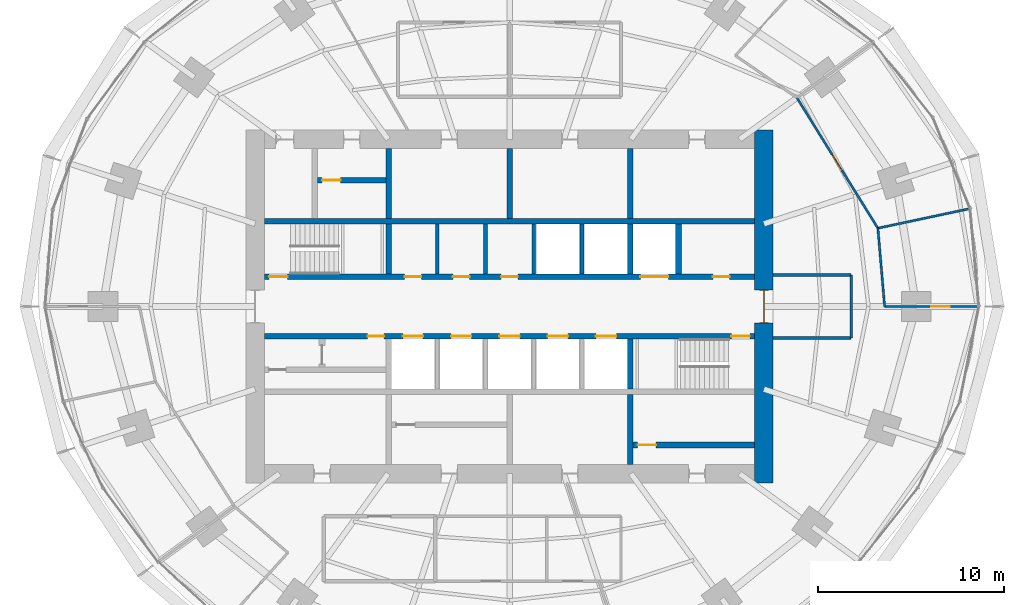
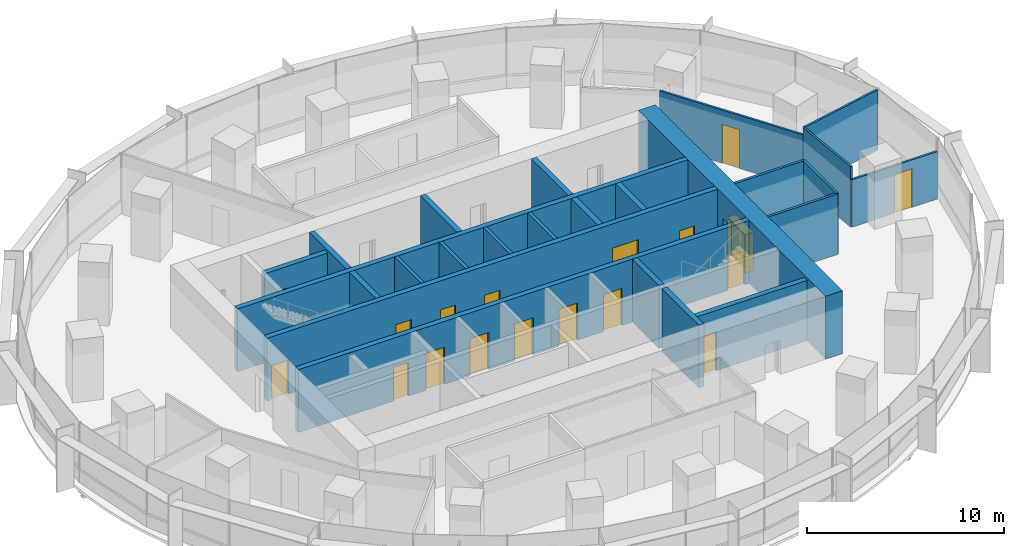
# One storey, part 11 of 14: 25 walls, 18 doors, 18 openings.
"""IFC4 building model written with IfcOpenShell, lengths in metres."""

from ifc_helpers import new_model, si_unit, direction, frame, frame_2d, origin, place, context, subcontext, project, spatial, rectangle, extrude, material, layer, layer_set, type_object, element, fill, save


model = new_model("IFC4")

# Units and contexts
model_context = context("Model", 3, precision=1e-05, world=origin(), true_north=direction((0.0, 1.0)))
body_context = subcontext(model_context, "Body", "Model", "MODEL_VIEW")
ifc_project = project(units=[si_unit("LENGTHUNIT", "METRE"), si_unit("AREAUNIT", "SQUARE_METRE"), si_unit("VOLUMEUNIT", "CUBIC_METRE"), si_unit("PLANEANGLEUNIT", "RADIAN"), si_unit("MASSUNIT", "GRAM", prefix="KILO")], contexts=[model_context])

# Site, building, storey
site_placement = place(None, origin())
site = spatial("IfcSite", under=ifc_project, at=site_placement, CompositionType="ELEMENT")
building_placement = place(site_placement, origin())
building = spatial("IfcBuilding", under=site, at=building_placement, Name="Marramba Exchange Tower", CompositionType="ELEMENT")
storey_placement = place(building_placement, frame((0.0, 0.0, 100.199951171875)))
storey = spatial("IfcBuildingStorey", under=building, at=storey_placement, Name="L23", CompositionType="ELEMENT", Elevation=100.199951171875)

# Walls
ifc_material_1 = material(Name="Concrete N50", Category="concrete")
ifc_layer_1 = layer(ifc_material_1, 0.199951171875)
ifc_layer_set_1 = layer_set([ifc_layer_1], Name="Core shaft wall 200")
wall_type_1 = type_object("IfcWallType", Name="Core shaft wall 200", PredefinedType="SHEAR", material=ifc_layer_set_1)
for number, where, z_axis, x_axis, name in (
    (1, (-3.89990234375, 1.75, 0.0), (0.0, 0.0, 1.0), (0.0, 1.0, 0.0), "Core wall SHN1 L23"),
    (2, (-1.300048828125, 1.75, 0.0), (0.0, 0.0, 1.0), (0.0, 1.0, 0.0), "Core wall SHN2 L23"),
    (3, (1.300048828125, 1.75, 0.0), (0.0, 0.0, 1.0), (0.0, 1.0, 0.0), "Core wall SHN3 L23"),
    (4, (3.89990234375, 1.75, 0.0), (0.0, 0.0, 1.0), (0.0, 1.0, 0.0), "Core wall SHN4 L23"),
):
    element("IfcWall", number, at=place(storey_placement, frame(where, z_axis=z_axis, x_axis=x_axis)), inside=storey, type_object=wall_type_1, Name=name, PredefinedType="SHEAR", context=body_context, shape_type="SweptSolid", body=[
        extrude(rectangle(XDim=2.699951171875, YDim=0.199951171875, at=frame_2d((1.35009765625, 0.0))), origin(), (0.0, 0.0, 1.0), 3.900146484375),
    ])

# Wall, opening, door
ifc_layer_2 = layer(ifc_material_1, 1.0)
ifc_layer_set_2 = layer_set([ifc_layer_2], Name="Core wall 1000")
wall_type_2 = type_object("IfcWallType", Name="Core wall 1000", PredefinedType="SHEAR", material=ifc_layer_set_2)
wall_1_placement = place(storey_placement, frame((13.699951171875, -9.5, 0.0), z_axis=(0.0, 0.0, 1.0), x_axis=(0.0, 1.0, 0.0)))
wall_1 = element("IfcWall", 5, at=wall_1_placement, inside=storey, type_object=wall_type_2, Name="Core wall E L23", PredefinedType="SHEAR", context=body_context, shape_type="SweptSolid", body=[
    extrude(rectangle(XDim=19.0, YDim=1.0, at=frame_2d((9.5, 0.0))), origin(), (0.0, 0.0, 1.0), 3.900146484375),
])
opening_1_placement = place(wall_1_placement, frame((8.60009765625, 0.0, 0.0)))
opening_1 = element("IfcOpeningElement", 6, at=opening_1_placement, cuts=wall_1, Name="Opening D1", PredefinedType="OPENING", context=body_context, shape_type="SweptSolid", body=[
    extrude(rectangle(XDim=1.800048828125, YDim=2.39990234375, at=frame_2d((0.89990234375, 1.199951171875))), frame((0.0, 0.510009765625, 0.0), z_axis=(0.0, -1.0, 0.0), x_axis=(1.0, 0.0, 0.0)), (0.0, 0.0, 1.0), 1.02001953125),
])
ifc_material_2 = material(Name="Steel-framed door", Category="steel")
door_type_1 = type_object("IfcDoorType", Name="Lobby exit door 1800x2400", OperationType="DOUBLE_DOOR_SINGLE_SWING", PredefinedType="DOOR", material=ifc_material_2)
door_1_placement = place(opening_1_placement, frame((1.800048828125, 0.0, 0.0), z_axis=(0.0, 0.0, 1.0), x_axis=(-1.0, 0.0, 0.0)))
door_1 = element("IfcDoor", 7, at=door_1_placement, inside=storey, type_object=door_type_1, Name="D1 lobby exit east L23", OperationType="DOUBLE_DOOR_SINGLE_SWING", OverallHeight=2.39990234375, OverallWidth=1.800048828125, PredefinedType="DOOR", context=body_context, shape_type="SweptSolid", body=[
    extrude(rectangle(XDim=1.719970703125, YDim=2.35986328125, at=frame_2d((0.900146484375, 1.179931640625))), frame((0.0, 0.025146484375, 0.0), z_axis=(0.0, -1.0, 0.0), x_axis=(1.0, 0.0, 0.0)), (0.0, 0.0, 1.0), 0.050048828125),
    extrude(rectangle(XDim=0.04, YDim=2.39990234375, at=frame_2d((1.780029296875, 1.199951171875))), frame((0.0, 0.25, 0.0), z_axis=(0.0, -1.0, 0.0), x_axis=(1.0, 0.0, 0.0)), (0.0, 0.0, 1.0), 0.5),
    extrude(rectangle(XDim=0.04, YDim=2.39990234375, at=frame_2d((0.02001953125, 1.199951171875))), frame((0.0, 0.25, 0.0), z_axis=(0.0, -1.0, 0.0), x_axis=(1.0, 0.0, 0.0)), (0.0, 0.0, 1.0), 0.5),
    extrude(rectangle(XDim=1.719970703125, YDim=0.04, at=frame_2d((0.900146484375, 2.3798828125))), frame((0.0, 0.25, 0.0), z_axis=(0.0, -1.0, 0.0), x_axis=(1.0, 0.0, 0.0)), (0.0, 0.0, 1.0), 0.5),
])
fill(opening_1, door_1)

# Wall, openings, doors
ifc_layer_3 = layer(ifc_material_1, 0.300048828125)
ifc_layer_set_3 = layer_set([ifc_layer_3], Name="Core wall 300")
wall_type_3 = type_object("IfcWallType", Name="Core wall 300", PredefinedType="SHEAR", material=ifc_layer_set_3)
wall_2_placement = place(storey_placement, frame((-13.199951171875, 1.60009765625, 0.0), z_axis=(0.0, 0.0, 1.0), x_axis=(1.0, 0.0, 0.0)))
wall_2 = element("IfcWall", 8, at=wall_2_placement, inside=storey, type_object=wall_type_3, Name="Core wall LN L23", PredefinedType="SHEAR", context=body_context, shape_type="SweptSolid", body=[
    extrude(rectangle(XDim=26.39990234375, YDim=0.300048828125, at=frame_2d((13.199951171875, 0.0))), origin(), (0.0, 0.0, 1.0), 3.900146484375),
])
opening_2_placement = place(wall_2_placement, frame((0.25, 0.0, 0.0)))
opening_2 = element("IfcOpeningElement", 9, at=opening_2_placement, cuts=wall_2, Name="Opening D2", PredefinedType="OPENING", context=body_context, shape_type="SweptSolid", body=[
    extrude(rectangle(XDim=1.0, YDim=2.10009765625, at=frame_2d((0.5, 1.050048828125))), frame((0.0, 0.159912109375, 0.0), z_axis=(0.0, -1.0, 0.0), x_axis=(1.0, 0.0, 0.0)), (0.0, 0.0, 1.0), 0.320068359375),
])
opening_3_placement = place(wall_2_placement, frame((20.25, 0.0, 0.0)))
opening_3 = element("IfcOpeningElement", 10, at=opening_3_placement, cuts=wall_2, Name="Opening LD3", PredefinedType="OPENING", context=body_context, shape_type="SweptSolid", body=[
    extrude(rectangle(XDim=1.5, YDim=2.39990234375, at=frame_2d((0.75, 1.199951171875))), frame((0.0, 0.159912109375, 0.0), z_axis=(0.0, -1.0, 0.0), x_axis=(1.0, 0.0, 0.0)), (0.0, 0.0, 1.0), 0.320068359375),
])
opening_4_placement = place(wall_2_placement, frame((7.550048828125, 0.0, 0.0)))
opening_4 = element("IfcOpeningElement", 11, at=opening_4_placement, cuts=wall_2, Name="Opening D5", PredefinedType="OPENING", context=body_context, shape_type="SweptSolid", body=[
    extrude(rectangle(XDim=0.89990234375, YDim=2.10009765625, at=frame_2d((0.449951171875, 1.050048828125))), frame((0.0, 0.159912109375, 0.0), z_axis=(0.0, -1.0, 0.0), x_axis=(1.0, 0.0, 0.0)), (0.0, 0.0, 1.0), 0.320068359375),
])
opening_5_placement = place(wall_2_placement, frame((10.14990234375, 0.0, 0.0)))
opening_5 = element("IfcOpeningElement", 12, at=opening_5_placement, cuts=wall_2, Name="Opening D5", PredefinedType="OPENING", context=body_context, shape_type="SweptSolid", body=[
    extrude(rectangle(XDim=0.89990234375, YDim=2.10009765625, at=frame_2d((0.449951171875, 1.050048828125))), frame((0.0, 0.159912109375, 0.0), z_axis=(0.0, -1.0, 0.0), x_axis=(1.0, 0.0, 0.0)), (0.0, 0.0, 1.0), 0.320068359375),
])
opening_6_placement = place(wall_2_placement, frame((12.75, 0.0, 0.0)))
opening_6 = element("IfcOpeningElement", 13, at=opening_6_placement, cuts=wall_2, Name="Opening D5", PredefinedType="OPENING", context=body_context, shape_type="SweptSolid", body=[
    extrude(rectangle(XDim=0.89990234375, YDim=2.10009765625, at=frame_2d((0.449951171875, 1.050048828125))), frame((0.0, 0.159912109375, 0.0), z_axis=(0.0, -1.0, 0.0), x_axis=(1.0, 0.0, 0.0)), (0.0, 0.0, 1.0), 0.320068359375),
])
opening_7_placement = place(wall_2_placement, frame((24.14990234375, 0.0, 0.0)))
opening_7 = element("IfcOpeningElement", 14, at=opening_7_placement, cuts=wall_2, Name="Opening D5", PredefinedType="OPENING", context=body_context, shape_type="SweptSolid", body=[
    extrude(rectangle(XDim=0.89990234375, YDim=2.10009765625, at=frame_2d((0.449951171875, 1.050048828125))), frame((0.0, 0.159912109375, 0.0), z_axis=(0.0, -1.0, 0.0), x_axis=(1.0, 0.0, 0.0)), (0.0, 0.0, 1.0), 0.320068359375),
])
door_type_2 = type_object("IfcDoorType", Name="Goods lift landing door 1500x2400", OperationType="SLIDING_TO_LEFT", PredefinedType="DOOR", material=ifc_material_2)
door_2_placement = place(opening_3_placement, origin())
door_2 = element("IfcDoor", 15, at=door_2_placement, inside=storey, type_object=door_type_2, Name="GL1 landing door L23", OperationType="SLIDING_TO_LEFT", OverallHeight=2.39990234375, OverallWidth=1.5, PredefinedType="DOOR", context=body_context, shape_type="SweptSolid", body=[
    extrude(rectangle(XDim=1.5, YDim=2.39990234375, at=frame_2d((0.75, 1.199951171875))), frame((0.0, 0.02490234375, 0.0), z_axis=(0.0, -1.0, 0.0), x_axis=(1.0, 0.0, 0.0)), (0.0, 0.0, 1.0), 0.050048828125),
])
fill(opening_3, door_2)
door_type_3 = type_object("IfcDoorType", Name="Service door 900x2100", OperationType="SINGLE_SWING_LEFT", PredefinedType="DOOR", material=ifc_material_2)
door_3_placement = place(opening_4_placement, origin())
door_3 = element("IfcDoor", 16, at=door_3_placement, inside=storey, type_object=door_type_3, Name="D5 parcel room L23", OperationType="SINGLE_SWING_RIGHT", OverallHeight=2.10009765625, OverallWidth=0.89990234375, PredefinedType="DOOR", context=body_context, shape_type="SweptSolid", body=[
    extrude(rectangle(XDim=0.89990234375, YDim=2.10009765625, at=frame_2d((0.449951171875, 1.050048828125))), frame((0.0, 0.02490234375, 0.0), z_axis=(0.0, -1.0, 0.0), x_axis=(1.0, 0.0, 0.0)), (0.0, 0.0, 1.0), 0.050048828125),
])
fill(opening_4, door_3)
door_4_placement = place(opening_5_placement, origin())
door_4 = element("IfcDoor", 17, at=door_4_placement, inside=storey, type_object=door_type_3, Name="D5 stationery store L23", OperationType="SINGLE_SWING_RIGHT", OverallHeight=2.10009765625, OverallWidth=0.89990234375, PredefinedType="DOOR", context=body_context, shape_type="SweptSolid", body=[
    extrude(rectangle(XDim=0.89990234375, YDim=2.10009765625, at=frame_2d((0.449951171875, 1.050048828125))), frame((0.0, 0.02490234375, 0.0), z_axis=(0.0, -1.0, 0.0), x_axis=(1.0, 0.0, 0.0)), (0.0, 0.0, 1.0), 0.050048828125),
])
fill(opening_5, door_4)
door_5_placement = place(opening_6_placement, origin())
door_5 = element("IfcDoor", 18, at=door_5_placement, inside=storey, type_object=door_type_3, Name="D5 switch room L23", OperationType="SINGLE_SWING_RIGHT", OverallHeight=2.10009765625, OverallWidth=0.89990234375, PredefinedType="DOOR", context=body_context, shape_type="SweptSolid", body=[
    extrude(rectangle(XDim=0.89990234375, YDim=2.10009765625, at=frame_2d((0.449951171875, 1.050048828125))), frame((0.0, 0.02490234375, 0.0), z_axis=(0.0, -1.0, 0.0), x_axis=(1.0, 0.0, 0.0)), (0.0, 0.0, 1.0), 0.050048828125),
])
fill(opening_6, door_5)
door_6_placement = place(opening_7_placement, origin())
door_6 = element("IfcDoor", 19, at=door_6_placement, inside=storey, type_object=door_type_3, Name="D5 riser L23", OperationType="SINGLE_SWING_RIGHT", OverallHeight=2.10009765625, OverallWidth=0.89990234375, PredefinedType="DOOR", context=body_context, shape_type="SweptSolid", body=[
    extrude(rectangle(XDim=0.89990234375, YDim=2.10009765625, at=frame_2d((0.449951171875, 1.050048828125))), frame((0.0, 0.02490234375, 0.0), z_axis=(0.0, -1.0, 0.0), x_axis=(1.0, 0.0, 0.0)), (0.0, 0.0, 1.0), 0.050048828125),
])
fill(opening_7, door_6)
door_type_4 = type_object("IfcDoorType", Name="Stair door 1000x2100", OperationType="SINGLE_SWING_LEFT", PredefinedType="DOOR", material=ifc_material_2)
door_7_placement = place(opening_2_placement, origin())
door_7 = element("IfcDoor", 20, at=door_7_placement, inside=storey, type_object=door_type_4, Name="D2 stair ST1 L23", OperationType="SINGLE_SWING_LEFT", OverallHeight=2.10009765625, OverallWidth=1.0, PredefinedType="DOOR", context=body_context, shape_type="SweptSolid", body=[
    extrude(rectangle(XDim=1.0, YDim=2.10009765625, at=frame_2d((0.5, 1.050048828125))), frame((0.0, 0.02490234375, 0.0), z_axis=(0.0, -1.0, 0.0), x_axis=(1.0, 0.0, 0.0)), (0.0, 0.0, 1.0), 0.050048828125),
])
fill(opening_2, door_7)

wall_3_placement = place(storey_placement, frame((-13.199951171875, -1.60009765625, 0.0), z_axis=(0.0, 0.0, 1.0), x_axis=(1.0, 0.0, 0.0)))
wall_3 = element("IfcWall", 21, at=wall_3_placement, inside=storey, type_object=wall_type_3, Name="Core wall LS L23", PredefinedType="SHEAR", context=body_context, shape_type="SweptSolid", body=[
    extrude(rectangle(XDim=26.39990234375, YDim=0.300048828125, at=frame_2d((13.199951171875, 0.0))), origin(), (0.0, 0.0, 1.0), 3.900146484375),
])
opening_8_placement = place(wall_3_placement, frame((25.14990234375, 0.0, 0.0)))
opening_8 = element("IfcOpeningElement", 22, at=opening_8_placement, cuts=wall_3, Name="Opening D2", PredefinedType="OPENING", context=body_context, shape_type="SweptSolid", body=[
    extrude(rectangle(XDim=1.0, YDim=2.10009765625, at=frame_2d((0.5, 1.050048828125))), frame((0.0, 0.159912109375, 0.0), z_axis=(0.0, -1.0, 0.0), x_axis=(1.0, 0.0, 0.0)), (0.0, 0.0, 1.0), 0.320068359375),
])
opening_9_placement = place(wall_3_placement, frame((7.449951171875, 0.0, 0.0)))
opening_9 = element("IfcOpeningElement", 23, at=opening_9_placement, cuts=wall_3, Name="Opening LD1", PredefinedType="OPENING", context=body_context, shape_type="SweptSolid", body=[
    extrude(rectangle(XDim=1.10009765625, YDim=2.300048828125, at=frame_2d((0.550048828125, 1.14990234375))), frame((0.0, 0.159912109375, 0.0), z_axis=(0.0, -1.0, 0.0), x_axis=(1.0, 0.0, 0.0)), (0.0, 0.0, 1.0), 0.320068359375),
])
opening_10_placement = place(wall_3_placement, frame((10.050048828125, 0.0, 0.0)))
opening_10 = element("IfcOpeningElement", 24, at=opening_10_placement, cuts=wall_3, Name="Opening LD1", PredefinedType="OPENING", context=body_context, shape_type="SweptSolid", body=[
    extrude(rectangle(XDim=1.10009765625, YDim=2.300048828125, at=frame_2d((0.550048828125, 1.14990234375))), frame((0.0, 0.159912109375, 0.0), z_axis=(0.0, -1.0, 0.0), x_axis=(1.0, 0.0, 0.0)), (0.0, 0.0, 1.0), 0.320068359375),
])
opening_11_placement = place(wall_3_placement, frame((12.64990234375, 0.0, 0.0)))
opening_11 = element("IfcOpeningElement", 25, at=opening_11_placement, cuts=wall_3, Name="Opening LD1", PredefinedType="OPENING", context=body_context, shape_type="SweptSolid", body=[
    extrude(rectangle(XDim=1.10009765625, YDim=2.300048828125, at=frame_2d((0.550048828125, 1.14990234375))), frame((0.0, 0.159912109375, 0.0), z_axis=(0.0, -1.0, 0.0), x_axis=(1.0, 0.0, 0.0)), (0.0, 0.0, 1.0), 0.320068359375),
])
opening_12_placement = place(wall_3_placement, frame((15.25, 0.0, 0.0)))
opening_12 = element("IfcOpeningElement", 26, at=opening_12_placement, cuts=wall_3, Name="Opening LD2", PredefinedType="OPENING", context=body_context, shape_type="SweptSolid", body=[
    extrude(rectangle(XDim=1.10009765625, YDim=2.300048828125, at=frame_2d((0.550048828125, 1.14990234375))), frame((0.0, 0.159912109375, 0.0), z_axis=(0.0, -1.0, 0.0), x_axis=(1.0, 0.0, 0.0)), (0.0, 0.0, 1.0), 0.320068359375),
])
opening_13_placement = place(wall_3_placement, frame((17.85009765625, 0.0, 0.0)))
opening_13 = element("IfcOpeningElement", 27, at=opening_13_placement, cuts=wall_3, Name="Opening LD2", PredefinedType="OPENING", context=body_context, shape_type="SweptSolid", body=[
    extrude(rectangle(XDim=1.10009765625, YDim=2.300048828125, at=frame_2d((0.550048828125, 1.14990234375))), frame((0.0, 0.159912109375, 0.0), z_axis=(0.0, -1.0, 0.0), x_axis=(1.0, 0.0, 0.0)), (0.0, 0.0, 1.0), 0.320068359375),
])
opening_14_placement = place(wall_3_placement, frame((5.550048828125, 0.0, 0.0)))
opening_14 = element("IfcOpeningElement", 28, at=opening_14_placement, cuts=wall_3, Name="Opening D5", PredefinedType="OPENING", context=body_context, shape_type="SweptSolid", body=[
    extrude(rectangle(XDim=0.89990234375, YDim=2.10009765625, at=frame_2d((0.449951171875, 1.050048828125))), frame((0.0, 0.159912109375, 0.0), z_axis=(0.0, -1.0, 0.0), x_axis=(1.0, 0.0, 0.0)), (0.0, 0.0, 1.0), 0.320068359375),
])
door_type_5 = type_object("IfcDoorType", Name="Emergency lift landing door 1100x2300", OperationType="SLIDING_TO_LEFT", PredefinedType="DOOR", material=ifc_material_2)
door_8_placement = place(opening_12_placement, frame((1.10009765625, 0.0, 0.0), z_axis=(0.0, 0.0, 1.0), x_axis=(-1.0, 0.0, 0.0)))
door_8 = element("IfcDoor", 29, at=door_8_placement, inside=storey, type_object=door_type_5, Name="FL1 landing door L23", OperationType="SLIDING_TO_RIGHT", OverallHeight=2.300048828125, OverallWidth=1.10009765625, PredefinedType="DOOR", context=body_context, shape_type="SweptSolid", body=[
    extrude(rectangle(XDim=1.10009765625, YDim=2.300048828125, at=frame_2d((0.550048828125, 1.14990234375))), frame((0.0, 0.025146484375, 0.0), z_axis=(0.0, -1.0, 0.0), x_axis=(1.0, 0.0, 0.0)), (0.0, 0.0, 1.0), 0.050048828125),
])
fill(opening_12, door_8)
door_9_placement = place(opening_13_placement, frame((1.10009765625, 0.0, 0.0), z_axis=(0.0, 0.0, 1.0), x_axis=(-1.0, 0.0, 0.0)))
door_9 = element("IfcDoor", 30, at=door_9_placement, inside=storey, type_object=door_type_5, Name="FL2 landing door L23", OperationType="SLIDING_TO_LEFT", OverallHeight=2.300048828125, OverallWidth=1.10009765625, PredefinedType="DOOR", context=body_context, shape_type="SweptSolid", body=[
    extrude(rectangle(XDim=1.10009765625, YDim=2.300048828125, at=frame_2d((0.550048828125, 1.14990234375))), frame((0.0, 0.025146484375, 0.0), z_axis=(0.0, -1.0, 0.0), x_axis=(1.0, 0.0, 0.0)), (0.0, 0.0, 1.0), 0.050048828125),
])
fill(opening_13, door_9)
door_type_6 = type_object("IfcDoorType", Name="Lift landing door 1100x2300", OperationType="SLIDING_TO_LEFT", PredefinedType="DOOR", material=ifc_material_2)
door_10_placement = place(opening_9_placement, frame((1.10009765625, 0.0, 0.0), z_axis=(0.0, 0.0, 1.0), x_axis=(-1.0, 0.0, 0.0)))
door_10 = element("IfcDoor", 31, at=door_10_placement, inside=storey, type_object=door_type_6, Name="LB1 landing door L23", OperationType="SLIDING_TO_LEFT", OverallHeight=2.300048828125, OverallWidth=1.10009765625, PredefinedType="DOOR", context=body_context, shape_type="SweptSolid", body=[
    extrude(rectangle(XDim=1.10009765625, YDim=2.300048828125, at=frame_2d((0.550048828125, 1.14990234375))), frame((0.0, 0.025146484375, 0.0), z_axis=(0.0, -1.0, 0.0), x_axis=(1.0, 0.0, 0.0)), (0.0, 0.0, 1.0), 0.050048828125),
])
fill(opening_9, door_10)
door_11_placement = place(opening_10_placement, frame((1.10009765625, 0.0, 0.0), z_axis=(0.0, 0.0, 1.0), x_axis=(-1.0, 0.0, 0.0)))
door_11 = element("IfcDoor", 32, at=door_11_placement, inside=storey, type_object=door_type_6, Name="LB2 landing door L23", OperationType="SLIDING_TO_RIGHT", OverallHeight=2.300048828125, OverallWidth=1.10009765625, PredefinedType="DOOR", context=body_context, shape_type="SweptSolid", body=[
    extrude(rectangle(XDim=1.10009765625, YDim=2.300048828125, at=frame_2d((0.550048828125, 1.14990234375))), frame((0.0, 0.025146484375, 0.0), z_axis=(0.0, -1.0, 0.0), x_axis=(1.0, 0.0, 0.0)), (0.0, 0.0, 1.0), 0.050048828125),
])
fill(opening_10, door_11)
door_12_placement = place(opening_11_placement, frame((1.10009765625, 0.0, 0.0), z_axis=(0.0, 0.0, 1.0), x_axis=(-1.0, 0.0, 0.0)))
door_12 = element("IfcDoor", 33, at=door_12_placement, inside=storey, type_object=door_type_6, Name="LB3 landing door L23", OperationType="SLIDING_TO_RIGHT", OverallHeight=2.300048828125, OverallWidth=1.10009765625, PredefinedType="DOOR", context=body_context, shape_type="SweptSolid", body=[
    extrude(rectangle(XDim=1.10009765625, YDim=2.300048828125, at=frame_2d((0.550048828125, 1.14990234375))), frame((0.0, 0.025146484375, 0.0), z_axis=(0.0, -1.0, 0.0), x_axis=(1.0, 0.0, 0.0)), (0.0, 0.0, 1.0), 0.050048828125),
])
fill(opening_11, door_12)
door_13_placement = place(opening_14_placement, frame((0.89990234375, 0.0, 0.0), z_axis=(0.0, 0.0, 1.0), x_axis=(-1.0, 0.0, 0.0)))
door_13 = element("IfcDoor", 34, at=door_13_placement, inside=storey, type_object=door_type_3, Name="D5 electrical riser L23", OperationType="SINGLE_SWING_LEFT", OverallHeight=2.10009765625, OverallWidth=0.89990234375, PredefinedType="DOOR", context=body_context, shape_type="SweptSolid", body=[
    extrude(rectangle(XDim=0.89990234375, YDim=2.10009765625, at=frame_2d((0.449951171875, 1.050048828125))), frame((0.0, 0.025146484375, 0.0), z_axis=(0.0, -1.0, 0.0), x_axis=(1.0, 0.0, 0.0)), (0.0, 0.0, 1.0), 0.050048828125),
])
fill(opening_14, door_13)
door_14_placement = place(opening_8_placement, frame((1.0, 0.0, 0.0), z_axis=(0.0, 0.0, 1.0), x_axis=(-1.0, 0.0, 0.0)))
door_14 = element("IfcDoor", 35, at=door_14_placement, inside=storey, type_object=door_type_4, Name="D2 stair ST2 L23", OperationType="SINGLE_SWING_LEFT", OverallHeight=2.10009765625, OverallWidth=1.0, PredefinedType="DOOR", context=body_context, shape_type="SweptSolid", body=[
    extrude(rectangle(XDim=1.0, YDim=2.10009765625, at=frame_2d((0.5, 1.050048828125))), frame((0.0, 0.025146484375, 0.0), z_axis=(0.0, -1.0, 0.0), x_axis=(1.0, 0.0, 0.0)), (0.0, 0.0, 1.0), 0.050048828125),
])
fill(opening_8, door_14)

# Walls
wall_4_placement = place(storey_placement, frame((-13.199951171875, 4.60009765625, 0.0), z_axis=(0.0, 0.0, 1.0), x_axis=(1.0, 0.0, 0.0)))
element("IfcWall", 36, at=wall_4_placement, inside=storey, type_object=wall_type_3, Name="Core wall BN L23", PredefinedType="SHEAR", context=body_context, shape_type="SweptSolid", body=[
    extrude(rectangle(XDim=26.39990234375, YDim=0.300048828125, at=frame_2d((13.199951171875, 0.0))), origin(), (0.0, 0.0, 1.0), 3.900146484375),
])
wall_5_placement = place(storey_placement, frame((-6.5, 1.75, 0.0), z_axis=(0.0, 0.0, 1.0), x_axis=(0.0, 1.0, 0.0)))
element("IfcWall", 37, at=wall_5_placement, inside=storey, type_object=wall_type_3, Name="Core wall X0Na L23", PredefinedType="SHEAR", context=body_context, shape_type="SweptSolid", body=[
    extrude(rectangle(XDim=2.699951171875, YDim=0.300048828125, at=frame_2d((1.35009765625, 0.0))), origin(), (0.0, 0.0, 1.0), 3.900146484375),
])
wall_6_placement = place(storey_placement, frame((-6.5, 4.75, 0.0), z_axis=(0.0, 0.0, 1.0), x_axis=(0.0, 1.0, 0.0)))
element("IfcWall", 38, at=wall_6_placement, inside=storey, type_object=wall_type_3, Name="Core wall X0Nb L23", PredefinedType="SHEAR", context=body_context, shape_type="SweptSolid", body=[
    extrude(rectangle(XDim=3.75, YDim=0.300048828125, at=frame_2d((1.875, 0.0))), origin(), (0.0, 0.0, 1.0), 3.900146484375),
])
wall_7_placement = place(storey_placement, frame((6.5, 1.75, 0.0), z_axis=(0.0, 0.0, 1.0), x_axis=(0.0, 1.0, 0.0)))
element("IfcWall", 39, at=wall_7_placement, inside=storey, type_object=wall_type_3, Name="Core wall X1Na L23", PredefinedType="SHEAR", context=body_context, shape_type="SweptSolid", body=[
    extrude(rectangle(XDim=2.699951171875, YDim=0.300048828125, at=frame_2d((1.35009765625, 0.0))), origin(), (0.0, 0.0, 1.0), 3.900146484375),
])
for number, where, z_axis, x_axis, name in (
    (40, (6.5, 4.75, 0.0), (0.0, 0.0, 1.0), (0.0, 1.0, 0.0), "Core wall X1Nb L23"),
    (41, (0.0, 4.75, 0.0), (0.0, 0.0, 1.0), (0.0, 1.0, 0.0), "Core wall MN L23"),
):
    element("IfcWall", number, at=place(storey_placement, frame(where, z_axis=z_axis, x_axis=x_axis)), inside=storey, type_object=wall_type_3, Name=name, PredefinedType="SHEAR", context=body_context, shape_type="SweptSolid", body=[
        extrude(rectangle(XDim=3.75, YDim=0.300048828125, at=frame_2d((1.875, 0.0))), origin(), (0.0, 0.0, 1.0), 3.900146484375),
    ])
wall_8_placement = place(storey_placement, frame((6.5, -1.75, 0.0), z_axis=(0.0, 0.0, 1.0), x_axis=(0.0, -1.0, 0.0)))
element("IfcWall", 42, at=wall_8_placement, inside=storey, type_object=wall_type_3, Name="Core wall X1Sa L23", PredefinedType="SHEAR", context=body_context, shape_type="SweptSolid", body=[
    extrude(rectangle(XDim=2.699951171875, YDim=0.300048828125, at=frame_2d((1.35009765625, 0.0))), origin(), (0.0, 0.0, 1.0), 3.900146484375),
])
wall_9_placement = place(storey_placement, frame((6.5, -4.75, 0.0), z_axis=(0.0, 0.0, 1.0), x_axis=(0.0, -1.0, 0.0)))
element("IfcWall", 43, at=wall_9_placement, inside=storey, type_object=wall_type_3, Name="Core wall X1Sb L23", PredefinedType="SHEAR", context=body_context, shape_type="SweptSolid", body=[
    extrude(rectangle(XDim=3.75, YDim=0.300048828125, at=frame_2d((1.875, 0.0))), origin(), (0.0, 0.0, 1.0), 3.900146484375),
])
wall_10_placement = place(storey_placement, frame((9.10009765625, 1.75, 0.0), z_axis=(0.0, 0.0, 1.0), x_axis=(0.0, 1.0, 0.0)))
element("IfcWall", 44, at=wall_10_placement, inside=storey, type_object=wall_type_3, Name="Core wall ED L23", PredefinedType="SHEAR", context=body_context, shape_type="SweptSolid", body=[
    extrude(rectangle(XDim=2.699951171875, YDim=0.300048828125, at=frame_2d((1.35009765625, 0.0))), origin(), (0.0, 0.0, 1.0), 3.900146484375),
])

# Wall, opening, door
ifc_material_3 = material(Name="Plasterboard on steel studs", Category="steel")
ifc_layer_4 = layer(ifc_material_3, 0.1201171875)
ifc_layer_set_4 = layer_set([ifc_layer_4], Name="Partition 120")
wall_type_4 = type_object("IfcWallType", Name="Partition 120", PredefinedType="PARTITIONING", material=ifc_layer_set_4)
wall_11_placement = place(storey_placement, frame((20.201904296875, 0.0, 0.0), z_axis=(0.0, 0.0, 1.0), x_axis=(1.0, 0.0, 0.0)))
wall_11 = element("IfcWall", 45, at=wall_11_placement, inside=storey, type_object=wall_type_4, Name="Partition L23 19", PredefinedType="PARTITIONING", context=body_context, shape_type="SweptSolid", body=[
    extrude(rectangle(XDim=5.0, YDim=0.1201171875, at=frame_2d((2.5, 0.0))), origin(), (0.0, 0.0, 1.0), 2.93994140625),
])
opening_15_placement = place(wall_11_placement, frame((2.5, 0.0, 0.0)))
opening_15 = element("IfcOpeningElement", 46, at=opening_15_placement, cuts=wall_11, Name="Opening D9", PredefinedType="OPENING", context=body_context, shape_type="SweptSolid", body=[
    extrude(rectangle(XDim=1.0, YDim=2.39990234375, at=frame_2d((0.5, 1.199951171875))), frame((0.0, 0.070068359375, 0.0), z_axis=(0.0, -1.0, 0.0), x_axis=(1.0, 0.0, 0.0)), (0.0, 0.0, 1.0), 0.14013671875),
])
ifc_material_4 = material(Name="Timber door", Category="wood")
door_type_7 = type_object("IfcDoorType", Name="Room door 1000x2400", OperationType="SINGLE_SWING_LEFT", PredefinedType="DOOR", material=ifc_material_4)
door_15_placement = place(opening_15_placement, origin())
door_15 = element("IfcDoor", 47, at=door_15_placement, inside=storey, type_object=door_type_7, Name="D9 Compliance Office 2 L23", OperationType="SINGLE_SWING_RIGHT", OverallHeight=2.39990234375, OverallWidth=1.0, PredefinedType="DOOR", context=body_context, shape_type="SweptSolid", body=[
    extrude(rectangle(XDim=1.0, YDim=2.39990234375, at=frame_2d((0.5, 1.199951171875))), frame((0.0, 0.02490234375, 0.0), z_axis=(0.0, -1.0, 0.0), x_axis=(1.0, 0.0, 0.0)), (0.0, 0.0, 1.0), 0.050048828125),
])
fill(opening_15, door_15)

# Walls
wall_12_placement = place(storey_placement, frame((19.839599609375, 4.217041015625, 0.0), z_axis=(0.0, 0.0, 1.0), x_axis=(0.085599097882, -0.996329661529, 0.0)))
element("IfcWall", 48, at=wall_12_placement, inside=storey, type_object=wall_type_4, Name="Partition L23 21", PredefinedType="PARTITIONING", context=body_context, shape_type="SweptSolid", body=[
    extrude(rectangle(XDim=4.232666015625, YDim=0.1201171875, at=frame_2d((2.1162109375, 0.0))), origin(), (0.0, 0.0, 1.0), 3.739990234375),
])
wall_13_placement = place(storey_placement, frame((19.839599609375, 4.217041015625, 0.0), z_axis=(0.0, 0.0, 1.0), x_axis=(0.978149046495, 0.207904888932, 0.0)))
element("IfcWall", 49, at=wall_13_placement, inside=storey, type_object=wall_type_4, Name="Partition L23 22", PredefinedType="PARTITIONING", context=body_context, shape_type="SweptSolid", body=[
    extrude(rectangle(XDim=5.000244140625, YDim=0.1201171875, at=frame_2d((2.5, 0.0))), origin(), (0.0, 0.0, 1.0), 3.739990234375),
])

# Wall, opening, door
wall_14_placement = place(storey_placement, frame((15.4765625, 11.244384765625, 0.0), z_axis=(0.0, 0.0, 1.0), x_axis=(0.527470861315, -0.849573122494, 0.0)))
wall_14 = element("IfcWall", 50, at=wall_14_placement, inside=storey, type_object=wall_type_4, Name="Partition L23 23", PredefinedType="PARTITIONING", context=body_context, shape_type="SweptSolid", body=[
    extrude(rectangle(XDim=8.271728515625, YDim=0.1201171875, at=frame_2d((4.1357421875, 0.0))), origin(), (0.0, 0.0, 1.0), 3.2861328125),
])
opening_16_placement = place(wall_14_placement, frame((3.611083984375, 0.0, 0.0)))
opening_16 = element("IfcOpeningElement", 51, at=opening_16_placement, cuts=wall_14, Name="Opening D9", PredefinedType="OPENING", context=body_context, shape_type="SweptSolid", body=[
    extrude(rectangle(XDim=1.0, YDim=2.39990234375, at=frame_2d((0.5, 1.199951171875))), frame((0.0, 0.070068359375, 0.0), z_axis=(0.0, -1.0, 0.0), x_axis=(1.0, 0.0, 0.0)), (0.0, 0.0, 1.0), 0.14013671875),
])
door_16_placement = place(opening_16_placement, origin())
door_16 = element("IfcDoor", 52, at=door_16_placement, inside=storey, type_object=door_type_7, Name="D9 Compliance Office 3 L23", OperationType="SINGLE_SWING_LEFT", OverallHeight=2.39990234375, OverallWidth=1.0, PredefinedType="DOOR", context=body_context, shape_type="SweptSolid", body=[
    extrude(rectangle(XDim=1.0, YDim=2.39990234375, at=frame_2d((0.5, 1.199951171875))), frame((0.0, 0.02490234375, 0.0), z_axis=(0.0, -1.0, 0.0), x_axis=(1.0, 0.0, 0.0)), (0.0, 0.0, 1.0), 0.050048828125),
])
fill(opening_16, door_16)

ifc_material_5 = material(Name="Plasterboard on steel studs, insulated, unrated", Category="steel")
ifc_layer_5 = layer(ifc_material_5, 0.300048828125)
ifc_layer_set_5 = layer_set([ifc_layer_5], Name="Store partition 300")
wall_type_5 = type_object("IfcWallType", Name="Store partition 300", PredefinedType="PARTITIONING", material=ifc_layer_set_5)
wall_15_placement = place(storey_placement, frame((-10.35009765625, 6.800048828125, 0.0), z_axis=(0.0, 0.0, 1.0), x_axis=(1.0, 0.0, 0.0)))
wall_15 = element("IfcWall", 53, at=wall_15_placement, inside=storey, type_object=wall_type_5, Name="Store partition L23 cleaner", PredefinedType="PARTITIONING", context=body_context, shape_type="SweptSolid", body=[
    extrude(rectangle(XDim=3.7001953125, YDim=0.300048828125, at=frame_2d((1.85009765625, 0.0))), origin(), (0.0, 0.0, 1.0), 3.739990234375),
])
opening_17_placement = place(wall_15_placement, frame((0.25, 0.0, 0.0)))
opening_17 = element("IfcOpeningElement", 54, at=opening_17_placement, cuts=wall_15, Name="Opening D9", PredefinedType="OPENING", context=body_context, shape_type="SweptSolid", body=[
    extrude(rectangle(XDim=1.0, YDim=2.39990234375, at=frame_2d((0.5, 1.199951171875))), frame((0.0, 0.159912109375, 0.0), z_axis=(0.0, -1.0, 0.0), x_axis=(1.0, 0.0, 0.0)), (0.0, 0.0, 1.0), 0.320068359375),
])
door_17_placement = place(opening_17_placement, origin())
door_17 = element("IfcDoor", 55, at=door_17_placement, inside=storey, type_object=door_type_7, Name="D9 cleaning store L23", OperationType="SINGLE_SWING_LEFT", OverallHeight=2.39990234375, OverallWidth=1.0, PredefinedType="DOOR", context=body_context, shape_type="SweptSolid", body=[
    extrude(rectangle(XDim=1.0, YDim=2.39990234375, at=frame_2d((0.5, 1.199951171875))), frame((0.0, 0.02490234375, 0.0), z_axis=(0.0, -1.0, 0.0), x_axis=(1.0, 0.0, 0.0)), (0.0, 0.0, 1.0), 0.050048828125),
])
fill(opening_17, door_17)

wall_16_placement = place(storey_placement, frame((6.64990234375, -7.4599609375, 0.0), z_axis=(0.0, 0.0, 1.0), x_axis=(1.0, 0.0, 0.0)))
wall_16 = element("IfcWall", 56, at=wall_16_placement, inside=storey, type_object=wall_type_5, Name="Store partition L23 cstore", PredefinedType="PARTITIONING", context=body_context, shape_type="SweptSolid", body=[
    extrude(rectangle(XDim=6.550048828125, YDim=0.300048828125, at=frame_2d((3.27490234375, 0.0))), origin(), (0.0, 0.0, 1.0), 3.739990234375),
])
opening_18_placement = place(wall_16_placement, frame((0.25, 0.0, 0.0)))
opening_18 = element("IfcOpeningElement", 57, at=opening_18_placement, cuts=wall_16, Name="Opening D9", PredefinedType="OPENING", context=body_context, shape_type="SweptSolid", body=[
    extrude(rectangle(XDim=1.0, YDim=2.39990234375, at=frame_2d((0.5, 1.199951171875))), frame((0.0, 0.159912109375, 0.0), z_axis=(0.0, -1.0, 0.0), x_axis=(1.0, 0.0, 0.0)), (0.0, 0.0, 1.0), 0.320068359375),
])
door_18_placement = place(opening_18_placement, frame((1.0, 0.0, 0.0), z_axis=(0.0, 0.0, 1.0), x_axis=(-1.0, 0.0, 0.0)))
door_18 = element("IfcDoor", 58, at=door_18_placement, inside=storey, type_object=door_type_7, Name="D9 general store L23", OperationType="SINGLE_SWING_RIGHT", OverallHeight=2.39990234375, OverallWidth=1.0, PredefinedType="DOOR", context=body_context, shape_type="SweptSolid", body=[
    extrude(rectangle(XDim=1.0, YDim=2.39990234375, at=frame_2d((0.5, 1.199951171875))), frame((0.0, 0.025146484375, 0.0), z_axis=(0.0, -1.0, 0.0), x_axis=(1.0, 0.0, 0.0)), (0.0, 0.0, 1.0), 0.050048828125),
])
fill(opening_18, door_18)

# Walls
ifc_material_6 = material(Name="Fire-rated plasterboard on steel studs, acoustic insulation", Category="steel")
ifc_layer_6 = layer(ifc_material_6, 0.14990234375)
ifc_layer_set_6 = layer_set([ifc_layer_6], Name="Tenancy wall 150")
wall_type_6 = type_object("IfcWallType", Name="Tenancy wall 150", PredefinedType="PARTITIONING", material=ifc_layer_set_6)
wall_17_placement = place(storey_placement, frame((14.199951171875, -1.699951171875, 0.0), z_axis=(0.0, 0.0, 1.0), x_axis=(1.0, 0.0, 0.0)))
element("IfcWall", 59, at=wall_17_placement, inside=storey, type_object=wall_type_6, Name="Tenancy wall L23 17", PredefinedType="PARTITIONING", context=body_context, shape_type="SweptSolid", body=[
    extrude(rectangle(XDim=4.199951171875, YDim=0.14990234375, at=frame_2d((2.10009765625, 0.0))), origin(), (0.0, 0.0, 1.0), 3.739990234375),
])
wall_18_placement = place(storey_placement, frame((18.39990234375, -1.699951171875, 0.0), z_axis=(0.0, 0.0, 1.0), x_axis=(0.0, 1.0, 0.0)))
element("IfcWall", 60, at=wall_18_placement, inside=storey, type_object=wall_type_6, Name="Tenancy wall L23 18", PredefinedType="PARTITIONING", context=body_context, shape_type="SweptSolid", body=[
    extrude(rectangle(XDim=3.39990234375, YDim=0.14990234375, at=frame_2d((1.699951171875, 0.0))), origin(), (0.0, 0.0, 1.0), 3.739990234375),
])
wall_19_placement = place(storey_placement, frame((18.39990234375, 1.699951171875, 0.0), z_axis=(0.0, 0.0, 1.0), x_axis=(-1.0, 0.0, 0.0)))
element("IfcWall", 61, at=wall_19_placement, inside=storey, type_object=wall_type_6, Name="Tenancy wall L23 20", PredefinedType="PARTITIONING", context=body_context, shape_type="SweptSolid", body=[
    extrude(rectangle(XDim=4.199951171875, YDim=0.14990234375, at=frame_2d((2.10009765625, 0.0))), origin(), (0.0, 0.0, 1.0), 3.739990234375),
])

save(model, "model.ifc")
